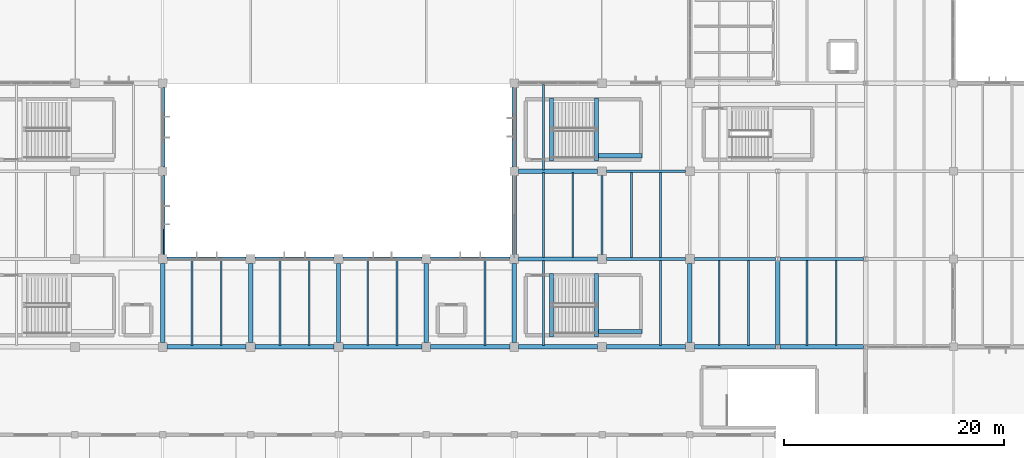
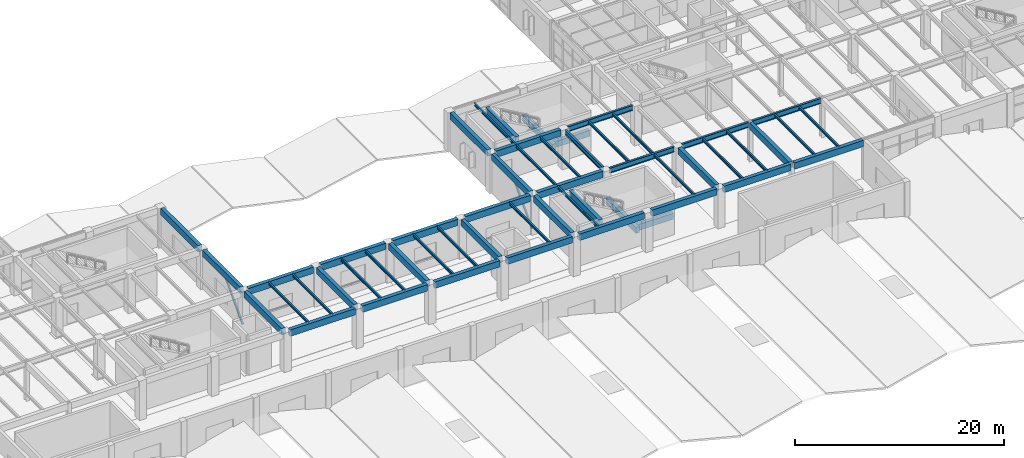
# One storey, part 19 of 60: 54 beams, 2 members.
"""IFC4 building model written with IfcOpenShell, lengths in metres."""

import ifcopenshell
import ifcopenshell.guid

model = None  # the IFC model being written
_history = None  # IfcOwnerHistory: only IFC2X3 demands one
_inside = {}  # id of a spatial element -> (the spatial element, [elements in it])
_under = {}  # id of a project, library or spatial element -> (it, [spatial elements below it])
_declared = {}  # id of a project -> (the project, [libraries it declares])
_typed = {}  # id of a type object -> (the type object, [elements of that type])
_made_of = {}  # id of a material, layer set ... -> (it, [elements and type objects made of it])


def new_model(schema):
    """Start an empty IFC model of exactly this schema.

    Asked for "IFC4X3", IfcOpenShell would pick the latest addendum, in which some entities
    have other attributes; the version numbers below select the first issue.
    IFC2X3 requires an IfcOwnerHistory on every rooted entity: one is made here for all.
    """
    global model, _history
    if schema == "IFC4X3":
        model = ifcopenshell.file(schema_version=(4, 3, 0, 0))
    else:
        model = ifcopenshell.file(schema=schema)
    _inside.clear()
    _under.clear()
    _declared.clear()
    _typed.clear()
    _made_of.clear()
    _history = None
    if model.schema == "IFC2X3":
        org = make("IfcOrganization", Name="unknown")
        user = make(
            "IfcPersonAndOrganization",
            ThePerson=make("IfcPerson", FamilyName="unknown"),
            TheOrganization=org,
        )
        app = make(
            "IfcApplication",
            ApplicationDeveloper=org,
            Version="unknown",
            ApplicationFullName="unknown",
            ApplicationIdentifier="unknown",
        )
        _history = make(
            "IfcOwnerHistory",
            OwningUser=user,
            OwningApplication=app,
            ChangeAction="ADDED",
            CreationDate=0,
        )
    return model


def make(cls, **values):
    """One entity of the class cls with the attributes given. An attribute that is None is left unset."""
    return model.create_entity(
        cls, **{name: value for name, value in values.items() if value is not None}
    )


def rooted(cls, **values):
    """An entity with a GlobalId (a new one), such as an element, a storey or a relation."""
    return make(cls, GlobalId=ifcopenshell.guid.new(), OwnerHistory=_history, **values)


def si_unit(unit_type, name, prefix=None):
    """IfcSIUnit, for example si_unit("LENGTHUNIT", "METRE", prefix="MILLI")."""
    return make("IfcSIUnit", UnitType=unit_type, Prefix=prefix, Name=name)


def assignment(units):
    """IfcUnitAssignment: the units of a project."""
    return None if units is None else make("IfcUnitAssignment", Units=units)


def point(xyz):
    """IfcCartesianPoint."""
    return None if xyz is None else make("IfcCartesianPoint", Coordinates=xyz)


def direction(xyz):
    """IfcDirection."""
    return None if xyz is None else make("IfcDirection", DirectionRatios=xyz)


def frame(location, z_axis=None, x_axis=None):
    """IfcAxis2Placement3D, a coordinate frame: its origin and axes. An axis left out is left unset."""
    return make(
        "IfcAxis2Placement3D",
        Location=point(location),
        Axis=direction(z_axis),
        RefDirection=direction(x_axis),
    )


def frame_2d(location, x_axis=None):
    """IfcAxis2Placement2D, a coordinate frame in the plane: its origin and x axis."""
    return make(
        "IfcAxis2Placement2D", Location=point(location), RefDirection=direction(x_axis)
    )


def origin():
    """The frame at (0, 0, 0) with its axes left unset."""
    return frame((0.0, 0.0, 0.0))


def origin_2d():
    """The frame at (0, 0) in the plane with its x axis left unset."""
    return frame_2d((0.0, 0.0))


def place(relative_to, where):
    """IfcLocalPlacement: puts the frame where relative to a parent placement (None: the world)."""
    return make(
        "IfcLocalPlacement", PlacementRelTo=relative_to, RelativePlacement=where
    )


def context(
    kind, dimensions, precision=None, world=None, true_north=None, identifier=None
):
    """IfcGeometricRepresentationContext, for example the 3D "Model" context."""
    return make(
        "IfcGeometricRepresentationContext",
        ContextIdentifier=identifier,
        ContextType=kind,
        CoordinateSpaceDimension=dimensions,
        Precision=precision,
        WorldCoordinateSystem=world,
        TrueNorth=true_north,
    )


def subcontext(parent, identifier, kind, view, scale=None):
    """IfcGeometricRepresentationSubContext, for example "Body" below "Model"."""
    return make(
        "IfcGeometricRepresentationSubContext",
        ContextIdentifier=identifier,
        ContextType=kind,
        ParentContext=parent,
        TargetScale=scale,
        TargetView=view,
    )


def project(units=None, contexts=None):
    """IfcProject with its units and contexts."""
    return rooted(
        "IfcProject",
        Name="project",
        RepresentationContexts=contexts,
        UnitsInContext=assignment(units),
    )


def spatial(cls, under=None, at=None, **own):
    """A site, building, storey or space (cls), placed at a placement, below another one or the project."""
    s = rooted(cls, ObjectPlacement=at, **own)
    if under is not None:
        _under.setdefault(under.id(), (under, []))[1].append(s)
    return s


def profile(cls, at=None, kind="AREA", **sizes):
    """A parametric profile (cls). Its sizes go by their IFC names, for example OverallWidth=200.0."""
    return make(cls, ProfileType=kind, Position=at, **sizes)


def rectangle(**sizes):
    """IfcRectangleProfileDef."""
    return profile("IfcRectangleProfileDef", **sizes)


def hollow_rectangle(**sizes):
    """IfcRectangleHollowProfileDef."""
    return profile("IfcRectangleHollowProfileDef", **sizes)


def i_section(**sizes):
    """IfcIShapeProfileDef."""
    return profile("IfcIShapeProfileDef", **sizes)


def extrude(swept, where, along, depth):
    """IfcExtrudedAreaSolid: the profile swept, set in the frame where, extruded along a direction by depth."""
    return make(
        "IfcExtrudedAreaSolid",
        SweptArea=swept,
        Position=where,
        ExtrudedDirection=direction(along),
        Depth=depth,
    )


def shape(context_of_items, identifier, shape_type, items):
    """IfcShapeRepresentation: the items that make up one representation, for example the "Body"."""
    return make(
        "IfcShapeRepresentation",
        ContextOfItems=context_of_items,
        RepresentationIdentifier=identifier,
        RepresentationType=shape_type,
        Items=items,
    )


def material(Name=None, Category=None):
    """IfcMaterial."""
    return make("IfcMaterial", Name=Name, Category=Category)


def material_profile(
    of_material, cross_section, Name=None, Category=None, Priority=None
):
    """IfcMaterialProfile: a cross section and its material."""
    return make(
        "IfcMaterialProfile",
        Name=Name,
        Material=of_material,
        Profile=cross_section,
        Priority=Priority,
        Category=Category,
    )


def profile_set(profiles, Name=None, composite=None):
    """IfcMaterialProfileSet."""
    return make(
        "IfcMaterialProfileSet",
        Name=Name,
        MaterialProfiles=profiles,
        CompositeProfile=composite,
    )


def made_of(thing, what):
    """Note that an element or type object is made of a material, layer set ...; save() writes the relation."""
    if what is not None:
        _made_of.setdefault(what.id(), (what, []))[1].append(thing)
    return thing


def type_object(cls, material=None, **own):
    """A type object (cls), such as IfcWallType, which elements share."""
    return made_of(rooted(cls, **own), material)


def element(
    cls,
    number,
    at=None,
    inside=None,
    cuts=None,
    type_object=None,
    material=None,
    context=None,
    identifier="Body",
    shape_type=None,
    held_by="IfcProductDefinitionShape",
    body=None,
    shapes=None,
    **own,
):
    """One element of the class cls, such as IfcWall. Its Tag is "e" and its number.

    at: its placement. inside: the storey or other place that contains it. cuts: it is an
    opening in that element (IfcRelVoidsElement). A single representation is given by context,
    identifier, shape_type and body (its items); several are given by shapes. held_by: the class
    of the entity that holds the representations. save() writes the other relations.
    """
    e = rooted(cls, Tag="e%d" % number, ObjectPlacement=at, **own)
    if body is not None:
        shapes = [shape(context, identifier, shape_type, body)]
    if shapes is not None:
        e.Representation = make(held_by, Representations=shapes)
    if inside is not None:
        _inside.setdefault(inside.id(), (inside, []))[1].append(e)
    if cuts is not None:
        rooted(
            "IfcRelVoidsElement", RelatingBuildingElement=cuts, RelatedOpeningElement=e
        )
    if type_object is not None:
        _typed.setdefault(type_object.id(), (type_object, []))[1].append(e)
    return made_of(e, material)


def aggregate(whole, parts):
    """IfcRelAggregates: a whole, such as a stair, and the parts it consists of."""
    return rooted("IfcRelAggregates", RelatingObject=whole, RelatedObjects=parts)


def save(model, path):
    """Write the relations noted so far, then the file.

    IfcRelAggregates (storeys below a building ...), IfcRelContainedInSpatialStructure (elements
    in a storey), IfcRelDefinesByType, IfcRelAssociatesMaterial and IfcRelDeclares: one each for
    every whole, place, type object, material and project.
    """
    for whole, parts in _under.values():
        aggregate(whole, parts)
    for where, things in _inside.values():
        rooted(
            "IfcRelContainedInSpatialStructure",
            RelatedElements=things,
            RelatingStructure=where,
        )
    for kind, things in _typed.values():
        rooted("IfcRelDefinesByType", RelatedObjects=things, RelatingType=kind)
    for what, things in _made_of.values():
        rooted("IfcRelAssociatesMaterial", RelatedObjects=things, RelatingMaterial=what)
    for by, libraries in _declared.values():
        rooted("IfcRelDeclares", RelatingContext=by, RelatedDefinitions=libraries)
    model.write(path)


model = new_model("IFC4")

# Units and contexts
model_context = context("Model", 3, precision=1e-05, world=origin(), true_north=direction((0.0, 1.0)))
body_context = subcontext(model_context, "Body", "Model", "MODEL_VIEW")
ifc_project = project(units=[si_unit("LENGTHUNIT", "METRE"), si_unit("AREAUNIT", "SQUARE_METRE"), si_unit("VOLUMEUNIT", "CUBIC_METRE"), si_unit("PLANEANGLEUNIT", "RADIAN"), si_unit("MASSUNIT", "GRAM", prefix="KILO")], contexts=[model_context])

# Site, building, storey
site_placement = place(None, origin())
site = spatial("IfcSite", under=ifc_project, at=site_placement, CompositionType="ELEMENT")
building_placement = place(site_placement, origin())
building = spatial("IfcBuilding", under=site, at=building_placement, Name="Varnela Railside Interchange", CompositionType="ELEMENT")
storey_placement = place(building_placement, frame((0.0, 0.0, 6.300048828125)))
storey = spatial("IfcBuildingStorey", under=building, at=storey_placement, Name="L01", CompositionType="ELEMENT", Elevation=6.300048828125)

# Beams
ifc_material_1 = material(Name="Steel AR 350 (350 MPa)", Category="steel")
ifc_material_profile_1 = material_profile(ifc_material_1, i_section(OverallWidth=0.1650390625, OverallDepth=0.31005859375, WebThickness=0.005859375, FlangeThickness=0.009765625, at=origin_2d()), Name="W310x38.7")
ifc_profile_set_1 = profile_set([ifc_material_profile_1], Name="Steel AR 350 (350 MPa)")
beam_type_1 = type_object("IfcBeamType", Name="Composite Floor Joist J-04", PredefinedType="JOIST", material=ifc_profile_set_1)
for number, where, z_axis, x_axis, name in (
    (1, (70.669921875, 38.114501953125, 4.445068359375), (0.0, 1.0, 0.0), (-1.0, 0.0, 0.0), "Composite Floor Joist J-04 (L01) (BM-1599)"),
    (2, (73.330078125, 38.114501953125, 4.445068359375), (0.0, 1.0, 0.0), (-1.0, 0.0, 0.0), "Composite Floor Joist J-04 (L01) (BM-1600)"),
    (3, (78.669921875, 38.114501953125, 4.445068359375), (0.0, 1.0, 0.0), (-1.0, 0.0, 0.0), "Composite Floor Joist J-04 (L01) (BM-1601)"),
    (4, (81.330078125, 38.114501953125, 4.445068359375), (0.0, 1.0, 0.0), (-1.0, 0.0, 0.0), "Composite Floor Joist J-04 (L01) (BM-1602)"),
    (5, (86.669921875, 38.114501953125, 4.445068359375), (0.0, 1.0, 0.0), (-1.0, 0.0, 0.0), "Composite Floor Joist J-04 (L01) (BM-1472)"),
    (6, (89.330078125, 38.114501953125, 4.445068359375), (0.0, 1.0, 0.0), (-1.0, 0.0, 0.0), "Composite Floor Joist J-04 (L01) (BM-1473)"),
    (7, (97.330078125, 38.114501953125, 4.445068359375), (0.0, 1.0, 0.0), (-1.0, 0.0, 0.0), "Composite Floor Joist J-04 (L01) (BM-1474)"),
    (8, (102.669921875, 38.114501953125, 4.445068359375), (0.0, 1.0, 0.0), (-1.0, 0.0, 0.0), "Composite Floor Joist J-04 (L01) (BM-1475)"),
    (9, (102.669921875, 46.114501953125, 4.445068359375), (0.0, 1.0, 0.0), (-1.0, 0.0, 0.0), "Composite Floor Joist J-04 (L01) (BM-1476)"),
    (10, (105.330078125, 46.114501953125, 4.445068359375), (0.0, 1.0, 0.0), (-1.0, 0.0, 0.0), "Composite Floor Joist J-04 (L01) (BM-1477)"),
    (11, (102.669921875, 54.114501953125, 4.445068359375), (0.0, 1.0, 0.0), (-1.0, 0.0, 0.0), "Composite Floor Joist J-04 (L01) (BM-1478)"),
    (12, (113.330078125, 38.114501953125, 4.445068359375), (0.0, 1.0, 0.0), (-1.0, 0.0, 0.0), "Composite Floor Joist J-04 (L01) (BM-1479)"),
    (13, (110.669921875, 46.114501953125, 4.445068359375), (0.0, 1.0, 0.0), (-1.0, 0.0, 0.0), "Composite Floor Joist J-04 (L01) (BM-1480)"),
    (14, (113.330078125, 46.114501953125, 4.445068359375), (0.0, 1.0, 0.0), (-1.0, 0.0, 0.0), "Composite Floor Joist J-04 (L01) (BM-1481)"),
    (15, (118.669921875, 38.114501953125, 4.445068359375), (0.0, 1.0, 0.0), (-1.0, 0.0, 0.0), "Composite Floor Joist J-04 (L01) (BM-1485)"),
    (16, (121.330078125, 38.114501953125, 4.445068359375), (0.0, 1.0, 0.0), (-1.0, 0.0, 0.0), "Composite Floor Joist J-04 (L01) (BM-1486)"),
    (17, (126.669921875, 38.114501953125, 4.445068359375), (0.0, 1.0, 0.0), (-1.0, 0.0, 0.0), "Composite Floor Joist J-04 (L01) (BM-1498)"),
    (18, (129.330078125, 38.114501953125, 4.445068359375), (0.0, 1.0, 0.0), (-1.0, 0.0, 0.0), "Composite Floor Joist J-04 (L01) (BM-1499)"),
):
    element("IfcBeam", number, at=place(storey_placement, frame(where, z_axis=z_axis, x_axis=x_axis)), inside=storey, type_object=beam_type_1, Name=name, PredefinedType="JOIST", context=body_context, shape_type="SweptSolid", body=[
        extrude(i_section(OverallWidth=0.1650390625, OverallDepth=0.31005859375, WebThickness=0.005859375, FlangeThickness=0.009765625, at=origin_2d()), origin(), (0.0, 0.0, 1.0), 7.77099609375),
    ])
ifc_material_profile_2 = material_profile(ifc_material_1, i_section(OverallWidth=0.2119140625, OverallDepth=0.5439453125, WebThickness=0.01318359375, FlangeThickness=0.021240234375, at=origin_2d()), Name="W530x123")
ifc_profile_set_2 = profile_set([ifc_material_profile_2], Name="Steel AR 350 (350 MPa)")
beam_type_2 = type_object("IfcBeamType", Name="Composite Heavy Girder B-16", PredefinedType="BEAM", material=ifc_profile_set_2)
beam_1_placement = place(storey_placement, frame((108.0, 46.39990234375, 4.327880859375), z_axis=(0.0, 1.0, 0.0), x_axis=(-1.0, 0.0, 0.0)))
element("IfcBeam", 19, at=beam_1_placement, inside=storey, type_object=beam_type_2, Name="Composite Heavy Girder B-16 (L01) (BM-1708)", PredefinedType="BEAM", context=body_context, shape_type="SweptSolid", body=[
    extrude(i_section(OverallWidth=0.2119140625, OverallDepth=0.5439453125, WebThickness=0.01318359375, FlangeThickness=0.021240234375, at=origin_2d()), origin(), (0.0, 0.0, 1.0), 7.2001953125),
])
ifc_material_2 = material(Name="Concrete C40", Category="concrete")
ifc_material_profile_3 = material_profile(ifc_material_2, rectangle(XDim=0.39990234375, YDim=0.699951171875, at=origin_2d()), Name="RC 400x700")
ifc_profile_set_3 = profile_set([ifc_material_profile_3], Name="Concrete C40")
beam_type_3 = type_object("IfcBeamType", Name="Concrete Tie Beam B-01", PredefinedType="BEAM", material=ifc_profile_set_3)
for number, where, z_axis, x_axis, name in (
    (20, (103.39990234375, 38.919921875, 4.25), (0.0, 1.0, 0.0), (-1.0, 0.0, 0.0), "Concrete Tie Beam B-01 (L01) (BM-1815)"),
    (21, (107.4951171875, 38.919921875, 1.93994140625), (0.0, 1.0, 0.0), (-1.0, 0.0, 0.0), "Concrete Tie Beam B-01 (L01) (BM-1804)"),
):
    element("IfcBeam", number, at=place(storey_placement, frame(where, z_axis=z_axis, x_axis=x_axis)), inside=storey, type_object=beam_type_3, Name=name, PredefinedType="BEAM", context=body_context, shape_type="SweptSolid", body=[
        extrude(rectangle(XDim=0.39990234375, YDim=0.699951171875, at=origin_2d()), origin(), (0.0, 0.0, 1.0), 5.760009765625),
    ])
beam_2_placement = place(storey_placement, frame((107.695068359375, 39.39990234375, 1.93994140625), z_axis=(1.0, 0.0, 0.0), x_axis=(0.0, 1.0, 0.0)))
element("IfcBeam", 22, at=beam_2_placement, inside=storey, type_object=beam_type_3, Name="Concrete Tie Beam B-01 (L01) (BM-1793)", PredefinedType="BEAM", context=body_context, shape_type="SweptSolid", body=[
    extrude(rectangle(XDim=0.39990234375, YDim=0.699951171875, at=origin_2d()), origin(), (0.0, 0.0, 1.0), 3.925048828125),
])
for number, where, z_axis, x_axis, name in (
    (23, (103.39990234375, 54.919921875, 4.25), (0.0, 1.0, 0.0), (-1.0, 0.0, 0.0), "Concrete Tie Beam B-01 (L01) (BM-1817)"),
    (24, (107.4951171875, 54.919921875, 1.93994140625), (0.0, 1.0, 0.0), (-1.0, 0.0, 0.0), "Concrete Tie Beam B-01 (L01) (BM-1806)"),
):
    element("IfcBeam", number, at=place(storey_placement, frame(where, z_axis=z_axis, x_axis=x_axis)), inside=storey, type_object=beam_type_3, Name=name, PredefinedType="BEAM", context=body_context, shape_type="SweptSolid", body=[
        extrude(rectangle(XDim=0.39990234375, YDim=0.699951171875, at=origin_2d()), origin(), (0.0, 0.0, 1.0), 5.760009765625),
    ])
beam_3_placement = place(storey_placement, frame((107.695068359375, 55.39990234375, 1.93994140625), z_axis=(1.0, 0.0, 0.0), x_axis=(0.0, 1.0, 0.0)))
element("IfcBeam", 25, at=beam_3_placement, inside=storey, type_object=beam_type_3, Name="Concrete Tie Beam B-01 (L01) (BM-1795)", PredefinedType="BEAM", context=body_context, shape_type="SweptSolid", body=[
    extrude(rectangle(XDim=0.39990234375, YDim=0.699951171875, at=origin_2d()), origin(), (0.0, 0.0, 1.0), 3.925048828125),
])

# Members
ifc_material_profile_4 = material_profile(ifc_material_1, hollow_rectangle(XDim=0.14990234375, YDim=0.25, WallThickness=0.012451171875, at=origin_2d()), Name="HSS 250x150x12.5")
ifc_profile_set_4 = profile_set([ifc_material_profile_4], Name="Steel AR 350 (350 MPa)")
member_type = type_object("IfcMemberType", Name="Podium Atrium Strut BR-05", PredefinedType="STRUT", material=ifc_profile_set_4)
for number, where, z_axis, x_axis, name in (
    (26, (68.0, 46.199951171875, 0.300048828125), (0.0, 0.684262777429, 0.729235525345), (-1.0, 0.0, 0.0), "Podium Atrium Strut BR-05 (L01) (MB-0077)"),
    (27, (100.0, 46.199951171875, 0.300048828125), (0.0, 0.684262777429, 0.729235525345), (-1.0, 0.0, 0.0), "Podium Atrium Strut BR-05 (L01) (MB-0078)"),
):
    element("IfcMember", number, at=place(storey_placement, frame(where, z_axis=z_axis, x_axis=x_axis)), inside=storey, type_object=member_type, Name=name, PredefinedType="STRUT", context=body_context, shape_type="SweptSolid", body=[
        extrude(hollow_rectangle(XDim=0.14990234375, YDim=0.25, WallThickness=0.012451171875, at=origin_2d()), origin(), (0.0, 0.0, 1.0), 5.553466796875),
    ])

# Beams
ifc_material_profile_5 = material_profile(ifc_material_1, i_section(OverallWidth=0.22900390625, OverallDepth=0.612060546875, WebThickness=0.011962890625, FlangeThickness=0.01953125, at=origin_2d()), Name="W610x125")
ifc_profile_set_5 = profile_set([ifc_material_profile_5], Name="Steel AR 350 (350 MPa)")
beam_type_4 = type_object("IfcBeamType", Name="Podium Composite Girder B-15", PredefinedType="BEAM", material=ifc_profile_set_5)
beam_4_placement = place(storey_placement, frame((108.39990234375, 46.0, 4.2939453125), z_axis=(1.0, 0.0, 0.0), x_axis=(0.0, 1.0, 0.0)))
element("IfcBeam", 28, at=beam_4_placement, inside=storey, type_object=beam_type_4, Name="Podium Composite Girder B-15 (L01) (BM-1624)", PredefinedType="BEAM", context=body_context, shape_type="SweptSolid", body=[
    extrude(i_section(OverallWidth=0.22900390625, OverallDepth=0.612060546875, WebThickness=0.011962890625, FlangeThickness=0.01953125, at=origin_2d()), origin(), (0.0, 0.0, 1.0), 7.2001953125),
])
beam_5_placement = place(storey_placement, frame((116.39990234375, 46.0, 4.2939453125), z_axis=(1.0, 0.0, 0.0), x_axis=(0.0, 1.0, 0.0)))
element("IfcBeam", 29, at=beam_5_placement, inside=storey, type_object=beam_type_4, Name="Podium Composite Girder B-15 (L01) (BM-1625)", PredefinedType="BEAM", context=body_context, shape_type="SweptSolid", body=[
    extrude(i_section(OverallWidth=0.22900390625, OverallDepth=0.612060546875, WebThickness=0.011962890625, FlangeThickness=0.01953125, at=origin_2d()), origin(), (0.0, 0.0, 1.0), 7.401123046875),
])
beam_6_placement = place(storey_placement, frame((124.198974609375, 46.0, 4.2939453125), z_axis=(1.0, 0.0, 0.0), x_axis=(0.0, 1.0, 0.0)))
element("IfcBeam", 30, at=beam_6_placement, inside=storey, type_object=beam_type_4, Name="Podium Composite Girder B-15 (L01) (BM-1626)", PredefinedType="BEAM", context=body_context, shape_type="SweptSolid", body=[
    extrude(i_section(OverallWidth=0.22900390625, OverallDepth=0.612060546875, WebThickness=0.011962890625, FlangeThickness=0.01953125, at=origin_2d()), origin(), (0.0, 0.0, 1.0), 7.60205078125),
])
beam_7_placement = place(storey_placement, frame((108.39990234375, 54.0, 4.2939453125), z_axis=(1.0, 0.0, 0.0), x_axis=(0.0, 1.0, 0.0)))
element("IfcBeam", 31, at=beam_7_placement, inside=storey, type_object=beam_type_4, Name="Podium Composite Girder B-15 (L01) (BM-1644)", PredefinedType="BEAM", context=body_context, shape_type="SweptSolid", body=[
    extrude(i_section(OverallWidth=0.22900390625, OverallDepth=0.612060546875, WebThickness=0.011962890625, FlangeThickness=0.01953125, at=origin_2d()), origin(), (0.0, 0.0, 1.0), 7.2001953125),
])
ifc_material_3 = material(Name="Concrete C40 precast", Category="concrete")
ifc_material_profile_6 = material_profile(ifc_material_3, rectangle(XDim=0.39990234375, YDim=0.75, at=origin_2d()), Name="PC 400x750")
ifc_profile_set_6 = profile_set([ifc_material_profile_6], Name="Concrete C40 precast")
beam_type_5 = type_object("IfcBeamType", Name="Precast Facade Spandrel SP-03", PredefinedType="SPANDREL", material=ifc_profile_set_6)
for number, where, z_axis, x_axis, name in (
    (32, (68.39990234375, 38.0, 4.224853515625), (1.0, 0.0, 0.0), (0.0, 1.0, 0.0), "Precast Facade Spandrel SP-03 (L01) (BM-1619)"),
    (33, (76.39990234375, 38.0, 4.224853515625), (1.0, 0.0, 0.0), (0.0, 1.0, 0.0), "Precast Facade Spandrel SP-03 (L01) (BM-1620)"),
    (34, (84.39990234375, 38.0, 4.224853515625), (1.0, 0.0, 0.0), (0.0, 1.0, 0.0), "Precast Facade Spandrel SP-03 (L01) (BM-1621)"),
    (35, (92.39990234375, 38.0, 4.224853515625), (1.0, 0.0, 0.0), (0.0, 1.0, 0.0), "Precast Facade Spandrel SP-03 (L01) (BM-1622)"),
    (36, (100.39990234375, 38.0, 4.224853515625), (1.0, 0.0, 0.0), (0.0, 1.0, 0.0), "Precast Facade Spandrel SP-03 (L01) (BM-1603)"),
    (37, (108.39990234375, 38.0, 4.224853515625), (1.0, 0.0, 0.0), (0.0, 1.0, 0.0), "Precast Facade Spandrel SP-03 (L01) (BM-1604)"),
):
    element("IfcBeam", number, at=place(storey_placement, frame(where, z_axis=z_axis, x_axis=x_axis)), inside=storey, type_object=beam_type_5, Name=name, PredefinedType="SPANDREL", context=body_context, shape_type="SweptSolid", body=[
        extrude(rectangle(XDim=0.39990234375, YDim=0.75, at=origin_2d()), origin(), (0.0, 0.0, 1.0), 7.2001953125),
    ])
beam_8_placement = place(storey_placement, frame((116.39990234375, 38.0, 4.224853515625), z_axis=(1.0, 0.0, 0.0), x_axis=(0.0, 1.0, 0.0)))
element("IfcBeam", 38, at=beam_8_placement, inside=storey, type_object=beam_type_5, Name="Precast Facade Spandrel SP-03 (L01) (BM-1605)", PredefinedType="SPANDREL", context=body_context, shape_type="SweptSolid", body=[
    extrude(rectangle(XDim=0.39990234375, YDim=0.75, at=origin_2d()), origin(), (0.0, 0.0, 1.0), 7.401123046875),
])
beam_9_placement = place(storey_placement, frame((124.198974609375, 38.0, 4.224853515625), z_axis=(1.0, 0.0, 0.0), x_axis=(0.0, 1.0, 0.0)))
element("IfcBeam", 39, at=beam_9_placement, inside=storey, type_object=beam_type_5, Name="Precast Facade Spandrel SP-03 (L01) (BM-1606)", PredefinedType="SPANDREL", context=body_context, shape_type="SweptSolid", body=[
    extrude(rectangle(XDim=0.39990234375, YDim=0.75, at=origin_2d()), origin(), (0.0, 0.0, 1.0), 7.60205078125),
])
for number, where, z_axis, x_axis, name in (
    (40, (68.39990234375, 46.0, 4.224853515625), (1.0, 0.0, 0.0), (0.0, 1.0, 0.0), "Precast Facade Spandrel SP-03 (L01) (BM-1639)"),
    (41, (76.39990234375, 46.0, 4.224853515625), (1.0, 0.0, 0.0), (0.0, 1.0, 0.0), "Precast Facade Spandrel SP-03 (L01) (BM-1640)"),
    (42, (84.39990234375, 46.0, 4.224853515625), (1.0, 0.0, 0.0), (0.0, 1.0, 0.0), "Precast Facade Spandrel SP-03 (L01) (BM-1641)"),
    (43, (92.39990234375, 46.0, 4.224853515625), (1.0, 0.0, 0.0), (0.0, 1.0, 0.0), "Precast Facade Spandrel SP-03 (L01) (BM-1642)"),
    (44, (100.39990234375, 46.0, 4.224853515625), (1.0, 0.0, 0.0), (0.0, 1.0, 0.0), "Precast Facade Spandrel SP-03 (L01) (BM-1623)"),
    (45, (100.39990234375, 54.0, 4.224853515625), (1.0, 0.0, 0.0), (0.0, 1.0, 0.0), "Precast Facade Spandrel SP-03 (L01) (BM-1643)"),
    (46, (68.0, 38.39990234375, 4.224853515625), (0.0, 1.0, 0.0), (-1.0, 0.0, 0.0), "Precast Facade Spandrel SP-03 (L01) (BM-1784)"),
    (47, (68.0, 46.39990234375, 4.224853515625), (0.0, 1.0, 0.0), (-1.0, 0.0, 0.0), "Precast Facade Spandrel SP-03 (L01) (BM-1785)"),
    (48, (68.0, 54.39990234375, 4.224853515625), (0.0, 1.0, 0.0), (-1.0, 0.0, 0.0), "Precast Facade Spandrel SP-03 (L01) (BM-1786)"),
    (49, (76.0, 38.39990234375, 4.224853515625), (0.0, 1.0, 0.0), (-1.0, 0.0, 0.0), "Precast Facade Spandrel SP-03 (L01) (BM-1702)"),
    (50, (84.0, 38.39990234375, 4.224853515625), (0.0, 1.0, 0.0), (-1.0, 0.0, 0.0), "Precast Facade Spandrel SP-03 (L01) (BM-1703)"),
    (51, (92.0, 38.39990234375, 4.224853515625), (0.0, 1.0, 0.0), (-1.0, 0.0, 0.0), "Precast Facade Spandrel SP-03 (L01) (BM-1704)"),
    (52, (100.0, 38.39990234375, 4.224853515625), (0.0, 1.0, 0.0), (-1.0, 0.0, 0.0), "Precast Facade Spandrel SP-03 (L01) (BM-1705)"),
    (53, (100.0, 46.39990234375, 4.224853515625), (0.0, 1.0, 0.0), (-1.0, 0.0, 0.0), "Precast Facade Spandrel SP-03 (L01) (BM-1706)"),
    (54, (100.0, 54.39990234375, 4.224853515625), (0.0, 1.0, 0.0), (-1.0, 0.0, 0.0), "Precast Facade Spandrel SP-03 (L01) (BM-1707)"),
    (55, (116.0, 38.39990234375, 4.224853515625), (0.0, 1.0, 0.0), (-1.0, 0.0, 0.0), "Precast Facade Spandrel SP-03 (L01) (BM-1709)"),
):
    element("IfcBeam", number, at=place(storey_placement, frame(where, z_axis=z_axis, x_axis=x_axis)), inside=storey, type_object=beam_type_5, Name=name, PredefinedType="SPANDREL", context=body_context, shape_type="SweptSolid", body=[
        extrude(rectangle(XDim=0.39990234375, YDim=0.75, at=origin_2d()), origin(), (0.0, 0.0, 1.0), 7.2001953125),
    ])
beam_10_placement = place(storey_placement, frame((124.0, 38.193603515625, 4.224853515625), z_axis=(0.0, 1.0, 0.0), x_axis=(-1.0, 0.0, 0.0)))
element("IfcBeam", 56, at=beam_10_placement, inside=storey, type_object=beam_type_5, Name="Precast Facade Spandrel SP-03 (L01) (BM-1716)", PredefinedType="SPANDREL", context=body_context, shape_type="SweptSolid", body=[
    extrude(rectangle(XDim=0.39990234375, YDim=0.75, at=origin_2d()), origin(), (0.0, 0.0, 1.0), 7.61279296875),
])

save(model, "model.ifc")
